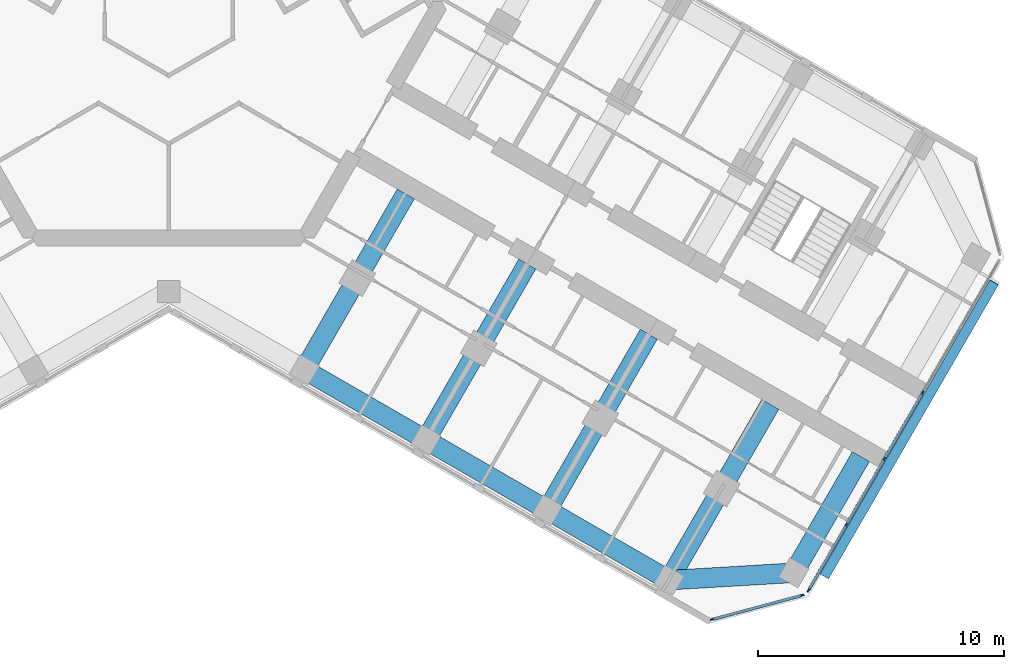
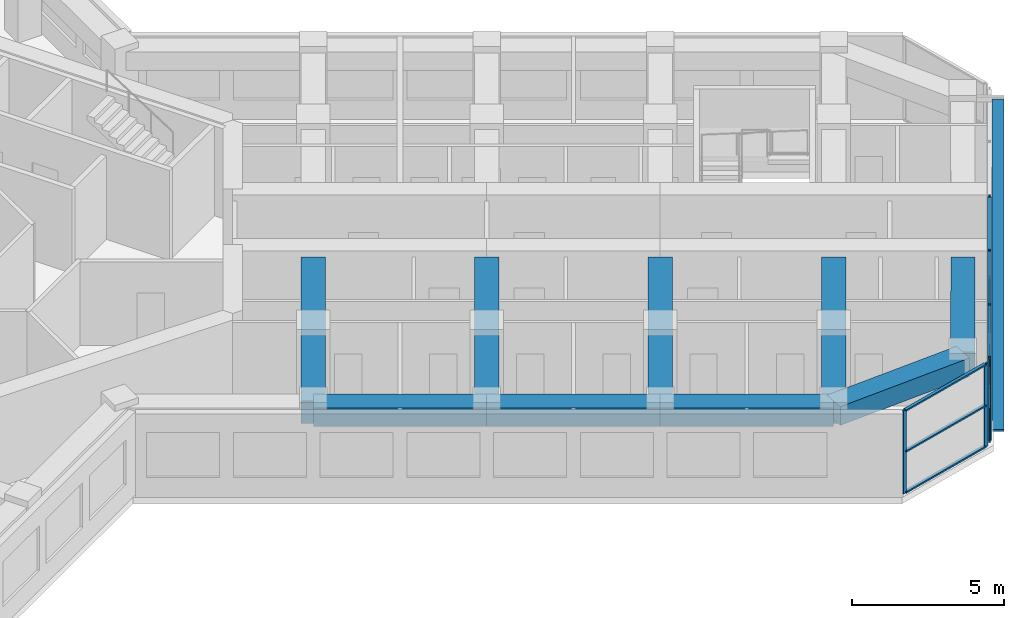
# One storey, part 4 of 17: 16 members, 9 beams, 2 elements without a shape of their own.
"""IFC4 building model written with IfcOpenShell, lengths in metres."""

from ifc_helpers import new_model, si_unit, direction, frame, origin, origin_2d, place, context, subcontext, project, spatial, rectangle, extrude, material, material_profile, profile_set, type_object, element, aggregate, save


model = new_model("IFC4")

# Units and contexts
model_context = context("Model", 3, precision=1e-05, world=origin(), true_north=direction((0.0, 1.0)))
body_context = subcontext(model_context, "Body", "Model", "MODEL_VIEW")
ifc_project = project(units=[si_unit("LENGTHUNIT", "METRE"), si_unit("AREAUNIT", "SQUARE_METRE"), si_unit("VOLUMEUNIT", "CUBIC_METRE"), si_unit("PLANEANGLEUNIT", "RADIAN"), si_unit("MASSUNIT", "GRAM", prefix="KILO")], contexts=[model_context])

# Site, building, storey
site_placement = place(None, origin())
site = spatial("IfcSite", under=ifc_project, at=site_placement, CompositionType="ELEMENT")
building_placement = place(site_placement, origin())
building = spatial("IfcBuilding", under=site, at=building_placement, Name="Kosmar Iwan School Tower", CompositionType="ELEMENT")
storey_placement = place(building_placement, frame((0.0, 0.0, 193.800048828125)))
storey = spatial("IfcBuildingStorey", under=building, at=storey_placement, Name="L48", CompositionType="ELEMENT", Elevation=193.800048828125)

# Member
ifc_material_1 = material(Name="Black anodised aluminium", Category="aluminium")
ifc_material_profile_1 = material_profile(ifc_material_1, rectangle(XDim=0.10009765625, YDim=0.39990234375, at=origin_2d()), Name="FIN 100x400")
ifc_profile_set_1 = profile_set([ifc_material_profile_1], Name="Black anodised aluminium")
member_type_1 = type_object("IfcMemberType", Name="Diagonal fin 100x400", PredefinedType="USERDEFINED", material=ifc_profile_set_1)
member_1_placement = place(storey_placement, frame((26.645263671875, -23.34912109375, -0.150146484375), z_axis=(0.483793446988, 0.837970316603, 0.25248692866), x_axis=(-0.126241714543, -0.218661104574, 0.96760030532)))
element("IfcMember", 1, at=member_1_placement, inside=storey, type_object=member_type_1, Name="Diagonal fin L48-F01", ObjectType="FIN", PredefinedType="USERDEFINED", context=body_context, shape_type="SweptSolid", body=[
    extrude(rectangle(XDim=0.10009765625, YDim=0.39990234375, at=origin_2d()), origin(), (0.0, 0.0, 1.0), 14.258544921875),
])

# Curtain wall, members
ifc_material_2 = material(Name="Dark glass in black aluminium frame", Category="aluminium")
curtain_wall_type_1 = type_object("IfcCurtainWallType", Name="Chamfer curtain wall dark glass", PredefinedType="USERDEFINED", material=ifc_material_2)
curtain_wall_1_placement = place(storey_placement, origin())
curtain_wall_1 = element("IfcCurtainWall", 2, at=curtain_wall_1_placement, inside=storey, type_object=curtain_wall_type_1, Name="Curtain wall L48-F00", ObjectType="FACETED CURTAIN WALL", PredefinedType="USERDEFINED")
ifc_material_3 = material(Name="Black anodised aluminium", Category="aluminium")
ifc_material_profile_2 = material_profile(ifc_material_3, rectangle(XDim=0.06005859375, YDim=0.159912109375, at=origin_2d()), Name="MULLION 60x160")
ifc_profile_set_2 = profile_set([ifc_material_profile_2], Name="Black anodised aluminium")
member_type_2 = type_object("IfcMemberType", Name="Mullion 60x160", PredefinedType="MULLION", material=ifc_profile_set_2)
member_2_placement = place(storey_placement, frame((22.0830078125, -25.102294921875, 0.0), z_axis=(0.0, 0.0, 1.0), x_axis=(-0.258818861462, 0.965925875495, 0.0)))
member_2 = element("IfcMember", 3, at=member_2_placement, type_object=member_type_2, Name="CW2 mullion 1", PredefinedType="MULLION", context=body_context, shape_type="SweptSolid", body=[
    extrude(rectangle(XDim=0.06005859375, YDim=0.159912109375, at=origin_2d()), origin(), (0.0, 0.0, 1.0), 3.349853515625),
])
member_3_placement = place(storey_placement, frame((25.733154296875, -24.124267578125, 0.0), z_axis=(0.0, 0.0, 1.0), x_axis=(-0.258818861462, 0.965925875495, 0.0)))
member_3 = element("IfcMember", 4, at=member_3_placement, type_object=member_type_2, Name="CW2 mullion 2", PredefinedType="MULLION", context=body_context, shape_type="SweptSolid", body=[
    extrude(rectangle(XDim=0.06005859375, YDim=0.159912109375, at=origin_2d()), origin(), (0.0, 0.0, 1.0), 3.349853515625),
])

ifc_material_4 = material(Name="Dark glass in black aluminium frame", Category="aluminium")
curtain_wall_type_2 = type_object("IfcCurtainWallType", Name="Tower curtain wall dark glass", PredefinedType="USERDEFINED", material=ifc_material_4)
curtain_wall_2_placement = place(storey_placement, origin())
curtain_wall_2 = element("IfcCurtainWall", 5, at=curtain_wall_2_placement, inside=storey, type_object=curtain_wall_type_2, Name="Curtain wall L48-F01", ObjectType="UNITISED CURTAIN WALL", PredefinedType="USERDEFINED")
member_4_placement = place(storey_placement, frame((25.9970703125, -23.921630859375, 0.0), z_axis=(0.0, 0.0, 1.0), x_axis=(-0.866025405329, 0.499999997325, 0.0)))
member_4 = element("IfcMember", 6, at=member_4_placement, type_object=member_type_2, Name="CW1 mullion 1", PredefinedType="MULLION", context=body_context, shape_type="SweptSolid", body=[
    extrude(rectangle(XDim=0.06005859375, YDim=0.159912109375, at=origin_2d()), origin(), (0.0, 0.0, 1.0), 3.349853515625),
])
member_5_placement = place(storey_placement, frame((27.53173828125, -21.263671875, 0.0), z_axis=(0.0, 0.0, 1.0), x_axis=(-0.866025405329, 0.499999997325, 0.0)))
member_5 = element("IfcMember", 7, at=member_5_placement, type_object=member_type_2, Name="CW1 mullion 2", PredefinedType="MULLION", context=body_context, shape_type="SweptSolid", body=[
    extrude(rectangle(XDim=0.06005859375, YDim=0.159912109375, at=origin_2d()), origin(), (0.0, 0.0, 1.0), 3.349853515625),
])
member_6_placement = place(storey_placement, frame((29.081298828125, -18.57958984375, 0.0), z_axis=(0.0, 0.0, 1.0), x_axis=(-0.866025405329, 0.499999997325, 0.0)))
member_6 = element("IfcMember", 8, at=member_6_placement, type_object=member_type_2, Name="CW1 mullion 3", PredefinedType="MULLION", context=body_context, shape_type="SweptSolid", body=[
    extrude(rectangle(XDim=0.06005859375, YDim=0.159912109375, at=origin_2d()), origin(), (0.0, 0.0, 1.0), 3.349853515625),
])
member_7_placement = place(storey_placement, frame((30.631103515625, -15.8955078125, 0.0), z_axis=(0.0, 0.0, 1.0), x_axis=(-0.866025405329, 0.499999997325, 0.0)))
member_7 = element("IfcMember", 9, at=member_7_placement, type_object=member_type_2, Name="CW1 mullion 4", PredefinedType="MULLION", context=body_context, shape_type="SweptSolid", body=[
    extrude(rectangle(XDim=0.06005859375, YDim=0.159912109375, at=origin_2d()), origin(), (0.0, 0.0, 1.0), 3.349853515625),
])

# Beams
ifc_material_5 = material(Name="Concrete C50/60", Category="concrete")
ifc_material_profile_3 = material_profile(ifc_material_5, rectangle(XDim=0.800048828125, YDim=0.75, at=origin_2d()), Name="RC 800x750")
ifc_profile_set_3 = profile_set([ifc_material_profile_3], Name="Concrete C50/60")
beam_type_1 = type_object("IfcBeamType", Name="RC edge beam 800x750", PredefinedType="BEAM", material=ifc_profile_set_3)
beam_1_placement = place(storey_placement, frame((5.5087890625, -14.95849609375, 2.974853515625), z_axis=(0.866033658841, -0.49998570155, 0.0), x_axis=(0.49998570155, 0.866033658841, 0.0)))
element("IfcBeam", 10, at=beam_1_placement, inside=storey, type_object=beam_type_1, Name="Edge beam CR2", PredefinedType="BEAM", context=body_context, shape_type="SweptSolid", body=[
    extrude(rectangle(XDim=0.800048828125, YDim=0.75, at=origin_2d()), origin(), (0.0, 0.0, 1.0), 5.699951171875),
])
beam_2_placement = place(storey_placement, frame((10.445068359375, -17.808349609375, 2.974853515625), z_axis=(0.866025820012, -0.499999279071, 0.0), x_axis=(0.499999279071, 0.866025820012, 0.0)))
element("IfcBeam", 11, at=beam_2_placement, inside=storey, type_object=beam_type_1, Name="Edge beam CR3", PredefinedType="BEAM", context=body_context, shape_type="SweptSolid", body=[
    extrude(rectangle(XDim=0.800048828125, YDim=0.75, at=origin_2d()), origin(), (0.0, 0.0, 1.0), 5.7001953125),
])
beam_3_placement = place(storey_placement, frame((15.381591796875, -20.658447265625, 2.974853515625), z_axis=(0.866015111908, -0.50001782563, 0.0), x_axis=(0.50001782563, 0.866015111908, 0.0)))
element("IfcBeam", 12, at=beam_3_placement, inside=storey, type_object=beam_type_1, Name="Edge beam CR4", PredefinedType="BEAM", context=body_context, shape_type="SweptSolid", body=[
    extrude(rectangle(XDim=0.800048828125, YDim=0.75, at=origin_2d()), origin(), (0.0, 0.0, 1.0), 5.699951171875),
])
ifc_material_6 = material(Name="Concrete C50/60", Category="concrete")
ifc_material_profile_4 = material_profile(ifc_material_6, rectangle(XDim=0.800048828125, YDim=0.75, at=origin_2d()), Name="RC 800x750")
ifc_profile_set_4 = profile_set([ifc_material_profile_4], Name="Concrete C50/60")
beam_type_2 = type_object("IfcBeamType", Name="RC tip beam 800x750", PredefinedType="BEAM", material=ifc_profile_set_4)
beam_4_placement = place(storey_placement, frame((20.31787109375, -23.508544921875, 2.974853515625), z_axis=(0.998260616478, 0.058955420358, 0.0), x_axis=(-0.058955420358, 0.998260616478, 0.0)))
element("IfcBeam", 13, at=beam_4_placement, inside=storey, type_object=beam_type_2, Name="Tip beam CR", PredefinedType="BEAM", context=body_context, shape_type="SweptSolid", body=[
    extrude(rectangle(XDim=0.800048828125, YDim=0.75, at=origin_2d()), origin(), (0.0, 0.0, 1.0), 5.08935546875),
])
beam_5_placement = place(storey_placement, frame((25.3984375, -23.20849609375, 2.974853515625), z_axis=(0.500022328685, 0.866012511928, 0.0), x_axis=(-0.866012511928, 0.500022328685, 0.0)))
element("IfcBeam", 14, at=beam_5_placement, inside=storey, type_object=beam_type_2, Name="Tip beam CR to corridor wall", PredefinedType="BEAM", context=body_context, shape_type="SweptSolid", body=[
    extrude(rectangle(XDim=0.800048828125, YDim=0.75, at=origin_2d()), origin(), (0.0, 0.0, 1.0), 5.449951171875),
])
ifc_material_7 = material(Name="Concrete C50/60", Category="concrete")
ifc_material_profile_5 = material_profile(ifc_material_7, rectangle(XDim=0.800048828125, YDim=0.89990234375, at=origin_2d()), Name="RC 800x900")
ifc_profile_set_5 = profile_set([ifc_material_profile_5], Name="Concrete C50/60")
beam_type_3 = type_object("IfcBeamType", Name="RC transverse beam 800x900", PredefinedType="BEAM", material=ifc_profile_set_5)
beam_6_placement = place(storey_placement, frame((5.5087890625, -14.95849609375, 2.89990234375), z_axis=(0.499996545922, 0.866027397988, 0.0), x_axis=(-0.866027397988, 0.499996545922, 0.0)))
element("IfcBeam", 15, at=beam_6_placement, inside=storey, type_object=beam_type_3, Name="Transverse beam CR1", PredefinedType="BEAM", context=body_context, shape_type="SweptSolid", body=[
    extrude(rectangle(XDim=0.800048828125, YDim=0.89990234375, at=origin_2d()), origin(), (0.0, 0.0, 1.0), 8.25),
])
beam_7_placement = place(storey_placement, frame((10.445068359375, -17.808349609375, 2.89990234375), z_axis=(0.500009360108, 0.866019999656, 0.0), x_axis=(-0.866019999656, 0.500009360108, 0.0)))
element("IfcBeam", 16, at=beam_7_placement, inside=storey, type_object=beam_type_3, Name="Transverse beam CR2", PredefinedType="BEAM", context=body_context, shape_type="SweptSolid", body=[
    extrude(rectangle(XDim=0.800048828125, YDim=0.89990234375, at=origin_2d()), origin(), (0.0, 0.0, 1.0), 8.249755859375),
])
for number, where, z_axis, x_axis, name in (
    (17, (15.381591796875, -20.658447265625, 2.89990234375), (0.499996545922, 0.866027397988, 0.0), (-0.866027397988, 0.499996545922, 0.0), "Transverse beam CR3"),
    (18, (20.31787109375, -23.508544921875, 2.89990234375), (0.499996545922, 0.866027397988, 0.0), (-0.866027397988, 0.499996545922, 0.0), "Transverse beam CR4"),
):
    element("IfcBeam", number, at=place(storey_placement, frame(where, z_axis=z_axis, x_axis=x_axis)), inside=storey, type_object=beam_type_3, Name=name, PredefinedType="BEAM", context=body_context, shape_type="SweptSolid", body=[
        extrude(rectangle(XDim=0.800048828125, YDim=0.89990234375, at=origin_2d()), origin(), (0.0, 0.0, 1.0), 8.25),
    ])

# Member
ifc_material_8 = material(Name="Black anodised aluminium", Category="aluminium")
ifc_material_profile_6 = material_profile(ifc_material_8, rectangle(XDim=0.1201171875, YDim=0.06005859375, at=origin_2d()), Name="TRANSOM 60x120")
ifc_profile_set_6 = profile_set([ifc_material_profile_6], Name="Black anodised aluminium")
member_type_3 = type_object("IfcMemberType", Name="Transom 60x120", PredefinedType="USERDEFINED", material=ifc_profile_set_6)
member_8_placement = place(storey_placement, frame((22.11181640625, -25.094482421875, 0.030029296875), z_axis=(0.965923731726, 0.258826861991, 0.0), x_axis=(-0.258826861991, 0.965923731726, 0.0)))
member_8 = element("IfcMember", 19, at=member_8_placement, type_object=member_type_3, Name="CW2 transom 1.1", ObjectType="TRANSOM", PredefinedType="USERDEFINED", context=body_context, shape_type="SweptSolid", body=[
    extrude(rectangle(XDim=0.1201171875, YDim=0.06005859375, at=origin_2d()), origin(), (0.0, 0.0, 1.0), 3.71923828125),
])

member_9_placement = place(storey_placement, frame((22.11181640625, -25.094482421875, 1.675048828125), z_axis=(0.965923731726, 0.258826861991, 0.0), x_axis=(-0.258826861991, 0.965923731726, 0.0)))
member_9 = element("IfcMember", 20, at=member_9_placement, type_object=member_type_3, Name="CW2 transom 1.2", ObjectType="TRANSOM", PredefinedType="USERDEFINED", context=body_context, shape_type="SweptSolid", body=[
    extrude(rectangle(XDim=0.1201171875, YDim=0.06005859375, at=origin_2d()), origin(), (0.0, 0.0, 1.0), 3.71923828125),
])

member_10_placement = place(storey_placement, frame((22.11181640625, -25.094482421875, 3.320068359375), z_axis=(0.965923731726, 0.258826861991, 0.0), x_axis=(-0.258826861991, 0.965923731726, 0.0)))
member_10 = element("IfcMember", 21, at=member_10_placement, type_object=member_type_3, Name="CW2 transom 1.3", ObjectType="TRANSOM", PredefinedType="USERDEFINED", context=body_context, shape_type="SweptSolid", body=[
    extrude(rectangle(XDim=0.1201171875, YDim=0.06005859375, at=origin_2d()), origin(), (0.0, 0.0, 1.0), 3.71923828125),
])

aggregate(curtain_wall_1, [member_2, member_3, member_8, member_9, member_10])

member_11_placement = place(storey_placement, frame((26.01220703125, -23.895751953125, 0.030029296875), z_axis=(0.499986971506, 0.866032925658, 0.0), x_axis=(-0.866032925658, 0.499986971506, 0.0)))
member_11 = element("IfcMember", 22, at=member_11_placement, type_object=member_type_3, Name="CW1 transom 1.1", ObjectType="TRANSOM", PredefinedType="USERDEFINED", context=body_context, shape_type="SweptSolid", body=[
    extrude(rectangle(XDim=0.1201171875, YDim=0.06005859375, at=origin_2d()), origin(), (0.0, 0.0, 1.0), 3.00927734375),
])

member_12_placement = place(storey_placement, frame((26.01220703125, -23.895751953125, 3.320068359375), z_axis=(0.499986971506, 0.866032925658, 0.0), x_axis=(-0.866032925658, 0.499986971506, 0.0)))
member_12 = element("IfcMember", 23, at=member_12_placement, type_object=member_type_3, Name="CW1 transom 1.2", ObjectType="TRANSOM", PredefinedType="USERDEFINED", context=body_context, shape_type="SweptSolid", body=[
    extrude(rectangle(XDim=0.1201171875, YDim=0.06005859375, at=origin_2d()), origin(), (0.0, 0.0, 1.0), 3.00927734375),
])

member_13_placement = place(storey_placement, frame((27.546875, -21.237548828125, 0.030029296875), z_axis=(0.499975102327, 0.866039777986, 0.0), x_axis=(-0.866039777986, 0.499975102327, 0.0)))
member_13 = element("IfcMember", 24, at=member_13_placement, type_object=member_type_3, Name="CW1 transom 2.1", ObjectType="TRANSOM", PredefinedType="USERDEFINED", context=body_context, shape_type="SweptSolid", body=[
    extrude(rectangle(XDim=0.1201171875, YDim=0.06005859375, at=origin_2d()), origin(), (0.0, 0.0, 1.0), 3.039306640625),
])

member_14_placement = place(storey_placement, frame((27.546875, -21.237548828125, 3.320068359375), z_axis=(0.499975102327, 0.866039777986, 0.0), x_axis=(-0.866039777986, 0.499975102327, 0.0)))
member_14 = element("IfcMember", 25, at=member_14_placement, type_object=member_type_3, Name="CW1 transom 2.2", ObjectType="TRANSOM", PredefinedType="USERDEFINED", context=body_context, shape_type="SweptSolid", body=[
    extrude(rectangle(XDim=0.1201171875, YDim=0.06005859375, at=origin_2d()), origin(), (0.0, 0.0, 1.0), 3.039306640625),
])

member_15_placement = place(storey_placement, frame((29.096435546875, -18.553466796875, 0.030029296875), z_axis=(0.499975102327, 0.866039777986, 0.0), x_axis=(-0.866039777986, 0.499975102327, 0.0)))
member_15 = element("IfcMember", 26, at=member_15_placement, type_object=member_type_3, Name="CW1 transom 3.1", ObjectType="TRANSOM", PredefinedType="USERDEFINED", context=body_context, shape_type="SweptSolid", body=[
    extrude(rectangle(XDim=0.1201171875, YDim=0.06005859375, at=origin_2d()), origin(), (0.0, 0.0, 1.0), 3.039306640625),
])

member_16_placement = place(storey_placement, frame((29.096435546875, -18.553466796875, 3.320068359375), z_axis=(0.499975102327, 0.866039777986, 0.0), x_axis=(-0.866039777986, 0.499975102327, 0.0)))
member_16 = element("IfcMember", 27, at=member_16_placement, type_object=member_type_3, Name="CW1 transom 3.2", ObjectType="TRANSOM", PredefinedType="USERDEFINED", context=body_context, shape_type="SweptSolid", body=[
    extrude(rectangle(XDim=0.1201171875, YDim=0.06005859375, at=origin_2d()), origin(), (0.0, 0.0, 1.0), 3.039306640625),
])

aggregate(curtain_wall_2, [member_4, member_5, member_6, member_7, member_11, member_12, member_13, member_14, member_15, member_16])

save(model, "model.ifc")
